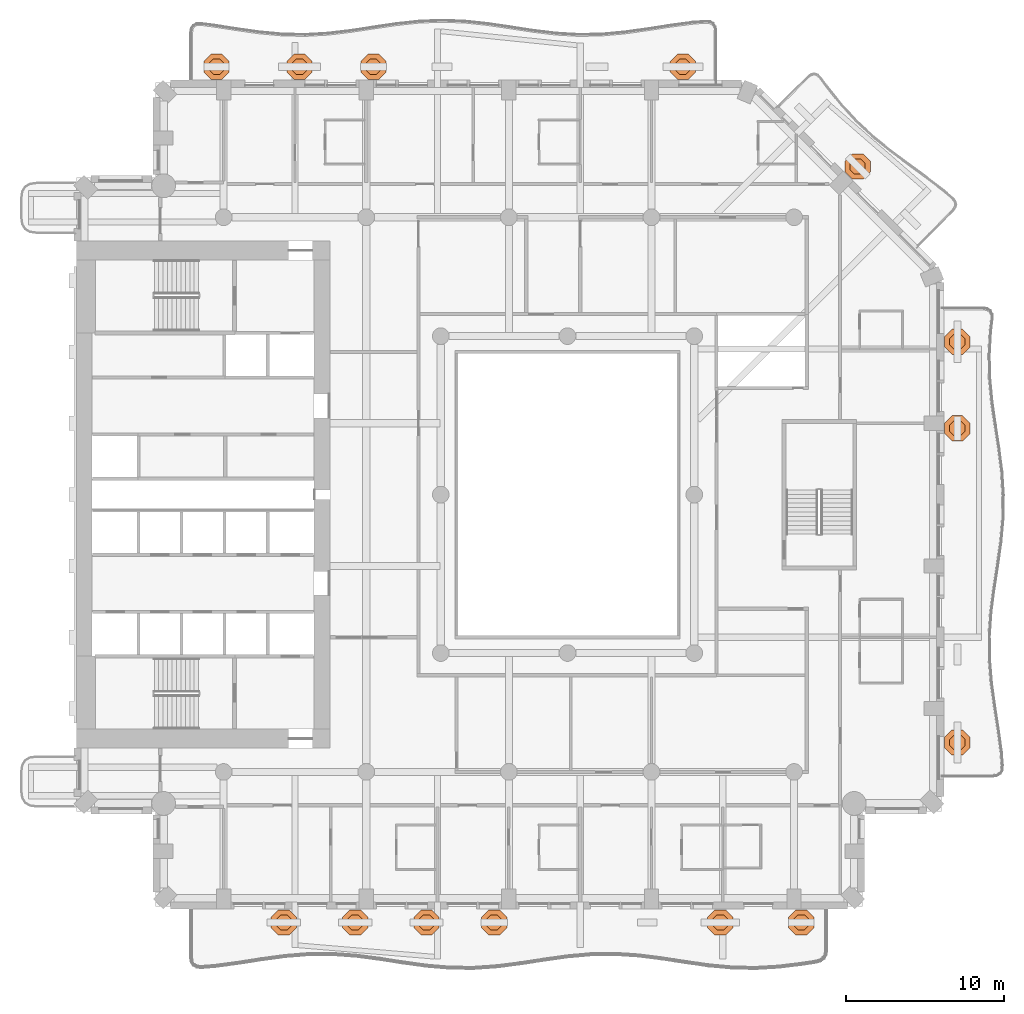
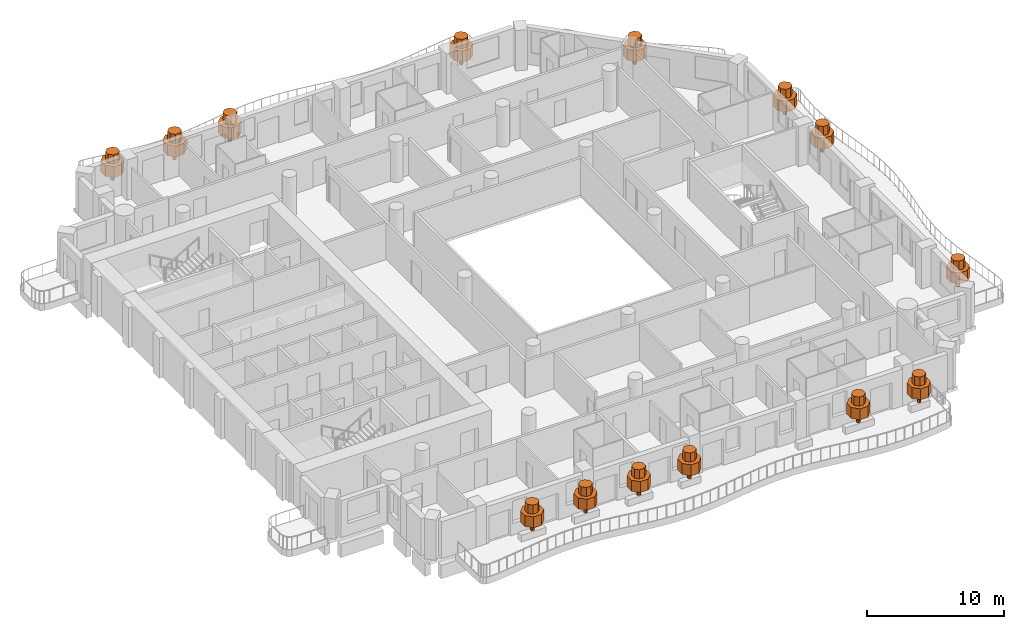
# One storey, part 19 of 19: 14 geographic elements.
"""IFC4 building model written with IfcOpenShell, lengths in metres."""

import ifcopenshell
import ifcopenshell.guid

model = None  # the IFC model being written
_history = None  # IfcOwnerHistory: only IFC2X3 demands one
_inside = {}  # id of a spatial element -> (the spatial element, [elements in it])
_under = {}  # id of a project, library or spatial element -> (it, [spatial elements below it])
_declared = {}  # id of a project -> (the project, [libraries it declares])
_typed = {}  # id of a type object -> (the type object, [elements of that type])
_made_of = {}  # id of a material, layer set ... -> (it, [elements and type objects made of it])


def new_model(schema):
    """Start an empty IFC model of exactly this schema.

    Asked for "IFC4X3", IfcOpenShell would pick the latest addendum, in which some entities
    have other attributes; the version numbers below select the first issue.
    IFC2X3 requires an IfcOwnerHistory on every rooted entity: one is made here for all.
    """
    global model, _history
    if schema == "IFC4X3":
        model = ifcopenshell.file(schema_version=(4, 3, 0, 0))
    else:
        model = ifcopenshell.file(schema=schema)
    _inside.clear()
    _under.clear()
    _declared.clear()
    _typed.clear()
    _made_of.clear()
    _history = None
    if model.schema == "IFC2X3":
        org = make("IfcOrganization", Name="unknown")
        user = make(
            "IfcPersonAndOrganization",
            ThePerson=make("IfcPerson", FamilyName="unknown"),
            TheOrganization=org,
        )
        app = make(
            "IfcApplication",
            ApplicationDeveloper=org,
            Version="unknown",
            ApplicationFullName="unknown",
            ApplicationIdentifier="unknown",
        )
        _history = make(
            "IfcOwnerHistory",
            OwningUser=user,
            OwningApplication=app,
            ChangeAction="ADDED",
            CreationDate=0,
        )
    return model


def make(cls, **values):
    """One entity of the class cls with the attributes given. An attribute that is None is left unset."""
    return model.create_entity(
        cls, **{name: value for name, value in values.items() if value is not None}
    )


def rooted(cls, **values):
    """An entity with a GlobalId (a new one), such as an element, a storey or a relation."""
    return make(cls, GlobalId=ifcopenshell.guid.new(), OwnerHistory=_history, **values)


def si_unit(unit_type, name, prefix=None):
    """IfcSIUnit, for example si_unit("LENGTHUNIT", "METRE", prefix="MILLI")."""
    return make("IfcSIUnit", UnitType=unit_type, Prefix=prefix, Name=name)


def assignment(units):
    """IfcUnitAssignment: the units of a project."""
    return None if units is None else make("IfcUnitAssignment", Units=units)


def point(xyz):
    """IfcCartesianPoint."""
    return None if xyz is None else make("IfcCartesianPoint", Coordinates=xyz)


def direction(xyz):
    """IfcDirection."""
    return None if xyz is None else make("IfcDirection", DirectionRatios=xyz)


def frame(location, z_axis=None, x_axis=None):
    """IfcAxis2Placement3D, a coordinate frame: its origin and axes. An axis left out is left unset."""
    return make(
        "IfcAxis2Placement3D",
        Location=point(location),
        Axis=direction(z_axis),
        RefDirection=direction(x_axis),
    )


def origin():
    """The frame at (0, 0, 0) with its axes left unset."""
    return frame((0.0, 0.0, 0.0))


def place(relative_to, where):
    """IfcLocalPlacement: puts the frame where relative to a parent placement (None: the world)."""
    return make(
        "IfcLocalPlacement", PlacementRelTo=relative_to, RelativePlacement=where
    )


def context(
    kind, dimensions, precision=None, world=None, true_north=None, identifier=None
):
    """IfcGeometricRepresentationContext, for example the 3D "Model" context."""
    return make(
        "IfcGeometricRepresentationContext",
        ContextIdentifier=identifier,
        ContextType=kind,
        CoordinateSpaceDimension=dimensions,
        Precision=precision,
        WorldCoordinateSystem=world,
        TrueNorth=true_north,
    )


def subcontext(parent, identifier, kind, view, scale=None):
    """IfcGeometricRepresentationSubContext, for example "Body" below "Model"."""
    return make(
        "IfcGeometricRepresentationSubContext",
        ContextIdentifier=identifier,
        ContextType=kind,
        ParentContext=parent,
        TargetScale=scale,
        TargetView=view,
    )


def project(units=None, contexts=None):
    """IfcProject with its units and contexts."""
    return rooted(
        "IfcProject",
        Name="project",
        RepresentationContexts=contexts,
        UnitsInContext=assignment(units),
    )


def spatial(cls, under=None, at=None, **own):
    """A site, building, storey or space (cls), placed at a placement, below another one or the project."""
    s = rooted(cls, ObjectPlacement=at, **own)
    if under is not None:
        _under.setdefault(under.id(), (under, []))[1].append(s)
    return s


def polyline(points):
    """IfcPolyline through the points."""
    return make("IfcPolyline", Points=[point(p) for p in points])


def outline(outer, holes=None, kind="AREA"):
    """IfcArbitraryClosedProfileDef: a profile drawn as a closed curve; with holes, ...WithVoids."""
    if holes is None:
        return make("IfcArbitraryClosedProfileDef", ProfileType=kind, OuterCurve=outer)
    return make(
        "IfcArbitraryProfileDefWithVoids",
        ProfileType=kind,
        OuterCurve=outer,
        InnerCurves=holes,
    )


def extrude(swept, where, along, depth):
    """IfcExtrudedAreaSolid: the profile swept, set in the frame where, extruded along a direction by depth."""
    return make(
        "IfcExtrudedAreaSolid",
        SweptArea=swept,
        Position=where,
        ExtrudedDirection=direction(along),
        Depth=depth,
    )


def shape(context_of_items, identifier, shape_type, items):
    """IfcShapeRepresentation: the items that make up one representation, for example the "Body"."""
    return make(
        "IfcShapeRepresentation",
        ContextOfItems=context_of_items,
        RepresentationIdentifier=identifier,
        RepresentationType=shape_type,
        Items=items,
    )


def material(Name=None, Category=None):
    """IfcMaterial."""
    return make("IfcMaterial", Name=Name, Category=Category)


def made_of(thing, what):
    """Note that an element or type object is made of a material, layer set ...; save() writes the relation."""
    if what is not None:
        _made_of.setdefault(what.id(), (what, []))[1].append(thing)
    return thing


def type_object(cls, material=None, **own):
    """A type object (cls), such as IfcWallType, which elements share."""
    return made_of(rooted(cls, **own), material)


def element(
    cls,
    number,
    at=None,
    inside=None,
    cuts=None,
    type_object=None,
    material=None,
    context=None,
    identifier="Body",
    shape_type=None,
    held_by="IfcProductDefinitionShape",
    body=None,
    shapes=None,
    **own,
):
    """One element of the class cls, such as IfcWall. Its Tag is "e" and its number.

    at: its placement. inside: the storey or other place that contains it. cuts: it is an
    opening in that element (IfcRelVoidsElement). A single representation is given by context,
    identifier, shape_type and body (its items); several are given by shapes. held_by: the class
    of the entity that holds the representations. save() writes the other relations.
    """
    e = rooted(cls, Tag="e%d" % number, ObjectPlacement=at, **own)
    if body is not None:
        shapes = [shape(context, identifier, shape_type, body)]
    if shapes is not None:
        e.Representation = make(held_by, Representations=shapes)
    if inside is not None:
        _inside.setdefault(inside.id(), (inside, []))[1].append(e)
    if cuts is not None:
        rooted(
            "IfcRelVoidsElement", RelatingBuildingElement=cuts, RelatedOpeningElement=e
        )
    if type_object is not None:
        _typed.setdefault(type_object.id(), (type_object, []))[1].append(e)
    return made_of(e, material)


def aggregate(whole, parts):
    """IfcRelAggregates: a whole, such as a stair, and the parts it consists of."""
    return rooted("IfcRelAggregates", RelatingObject=whole, RelatedObjects=parts)


def save(model, path):
    """Write the relations noted so far, then the file.

    IfcRelAggregates (storeys below a building ...), IfcRelContainedInSpatialStructure (elements
    in a storey), IfcRelDefinesByType, IfcRelAssociatesMaterial and IfcRelDeclares: one each for
    every whole, place, type object, material and project.
    """
    for whole, parts in _under.values():
        aggregate(whole, parts)
    for where, things in _inside.values():
        rooted(
            "IfcRelContainedInSpatialStructure",
            RelatedElements=things,
            RelatingStructure=where,
        )
    for kind, things in _typed.values():
        rooted("IfcRelDefinesByType", RelatedObjects=things, RelatingType=kind)
    for what, things in _made_of.values():
        rooted("IfcRelAssociatesMaterial", RelatedObjects=things, RelatingMaterial=what)
    for by, libraries in _declared.values():
        rooted("IfcRelDeclares", RelatingContext=by, RelatedDefinitions=libraries)
    model.write(path)


model = new_model("IFC4")

# Units and contexts
model_context = context("Model", 3, precision=1e-05, world=origin(), true_north=direction((0.0, 1.0)))
body_context = subcontext(model_context, "Body", "Model", "MODEL_VIEW")
ifc_project = project(units=[si_unit("LENGTHUNIT", "METRE"), si_unit("AREAUNIT", "SQUARE_METRE"), si_unit("VOLUMEUNIT", "CUBIC_METRE"), si_unit("PLANEANGLEUNIT", "RADIAN"), si_unit("MASSUNIT", "GRAM", prefix="KILO")], contexts=[model_context])

# Site, building, storey
site_placement = place(None, origin())
site = spatial("IfcSite", under=ifc_project, at=site_placement, CompositionType="ELEMENT")
building_placement = place(site_placement, origin())
building = spatial("IfcBuilding", under=site, at=building_placement, Name="Cypress Arch Tower", CompositionType="ELEMENT")
storey_placement = place(building_placement, frame((0.0, 0.0, 141.89990234375)))
storey = spatial("IfcBuildingStorey", under=building, at=storey_placement, Name="L31", CompositionType="ELEMENT", Elevation=141.89990234375)

# Geographic elements
ifc_material = material(Name="Foliage and planting")
geographic_element_type = type_object("IfcGeographicElementType", Name="Balcony tree TR", PredefinedType="USERDEFINED", material=ifc_material)
for number, where, z_axis, x_axis, name in (
    (1, (-16.89990234375, -27.0, 0.60009765625), (0.0, 0.0, 1.0), (1.0, 0.0, 0.0), "Balcony tree L31-A03.1"),
    (2, (-12.39990234375, -27.0, 0.60009765625), (0.0, 0.0, 1.0), (1.0, 0.0, 0.0), "Balcony tree L31-A03.2"),
    (3, (-7.89990234375, -27.0, 0.60009765625), (0.0, 0.0, 1.0), (1.0, 0.0, 0.0), "Balcony tree L31-A03.3"),
    (4, (-3.625, -27.0, 0.60009765625), (0.0, 0.0, 1.0), (1.0, 0.0, 0.0), "Balcony tree L31-A03.4"),
    (5, (10.639892578125, -27.0, 0.60009765625), (0.0, 0.0, 1.0), (1.0, 0.0, 0.0), "Balcony tree L31-A03.6"),
    (6, (15.75, -27.0, 0.60009765625), (0.0, 0.0, 1.0), (1.0, 0.0, 0.0), "Balcony tree L31-A03.7"),
    (7, (25.60009765625, -15.642822265625, 0.60009765625), (0.0, 0.0, 1.0), (1.0, 0.0, 0.0), "Balcony tree L31-A06.1"),
    (8, (25.60009765625, 4.1826171875, 0.60009765625), (0.0, 0.0, 1.0), (1.0, 0.0, 0.0), "Balcony tree L31-A06.3"),
    (9, (25.60009765625, 9.642822265625, 0.60009765625), (0.0, 0.0, 1.0), (1.0, 0.0, 0.0), "Balcony tree L31-A06.4"),
    (10, (19.30712890625, 20.70703125, 0.60009765625), (0.0, 0.0, 1.0), (1.0, 0.0, 0.0), "Balcony tree L31-A07.2"),
    (11, (8.28125, 27.0, 0.60009765625), (0.0, 0.0, 1.0), (1.0, 0.0, 0.0), "Balcony tree L31-A08.1"),
    (12, (-11.24365234375, 27.0, 0.60009765625), (0.0, 0.0, 1.0), (1.0, 0.0, 0.0), "Balcony tree L31-A08.4"),
    (13, (-15.91259765625, 27.0, 0.60009765625), (0.0, 0.0, 1.0), (1.0, 0.0, 0.0), "Balcony tree L31-A08.5"),
    (14, (-21.14990234375, 27.0, 0.60009765625), (0.0, 0.0, 1.0), (1.0, 0.0, 0.0), "Balcony tree L31-A08.6"),
):
    element("IfcGeographicElement", number, at=place(storey_placement, frame(where, z_axis=z_axis, x_axis=x_axis)), inside=storey, type_object=geographic_element_type, Name=name, ObjectType="TREE", PredefinedType="USERDEFINED", context=body_context, shape_type="SweptSolid", body=[
        extrude(outline(polyline([(0.14990234375, 0.06201171875), (0.06201171875, 0.14990234375), (-0.06201171875, 0.14990234375), (-0.14990234375, 0.06201171875), (-0.14990234375, -0.06201171875), (-0.06201171875, -0.14990234375), (0.06201171875, -0.14990234375), (0.14990234375, -0.06201171875), (0.14990234375, 0.06201171875)])), origin(), (0.0, 0.0, 1.0), 0.864990234375),
        extrude(outline(polyline([(0.800048828125, 0.331298828125), (0.331298828125, 0.800048828125), (-0.331298828125, 0.800048828125), (-0.800048828125, 0.331298828125), (-0.800048828125, -0.331298828125), (-0.331298828125, -0.800048828125), (0.331298828125, -0.800048828125), (0.800048828125, -0.331298828125), (0.800048828125, 0.331298828125)])), frame((0.0, 0.0, 0.764892578125)), (0.0, 0.0, 1.0), 0.981689453125),
        extrude(outline(polyline([(0.47998046875, 0.19873046875), (0.19873046875, 0.47998046875), (-0.19873046875, 0.47998046875), (-0.47998046875, 0.19873046875), (-0.47998046875, -0.19873046875), (-0.19873046875, -0.47998046875), (0.19873046875, -0.47998046875), (0.47998046875, -0.19873046875), (0.47998046875, 0.19873046875)])), frame((0.0, 0.0, 1.746826171875)), (0.0, 0.0, 1.0), 0.80322265625),
    ])

save(model, "model.ifc")
